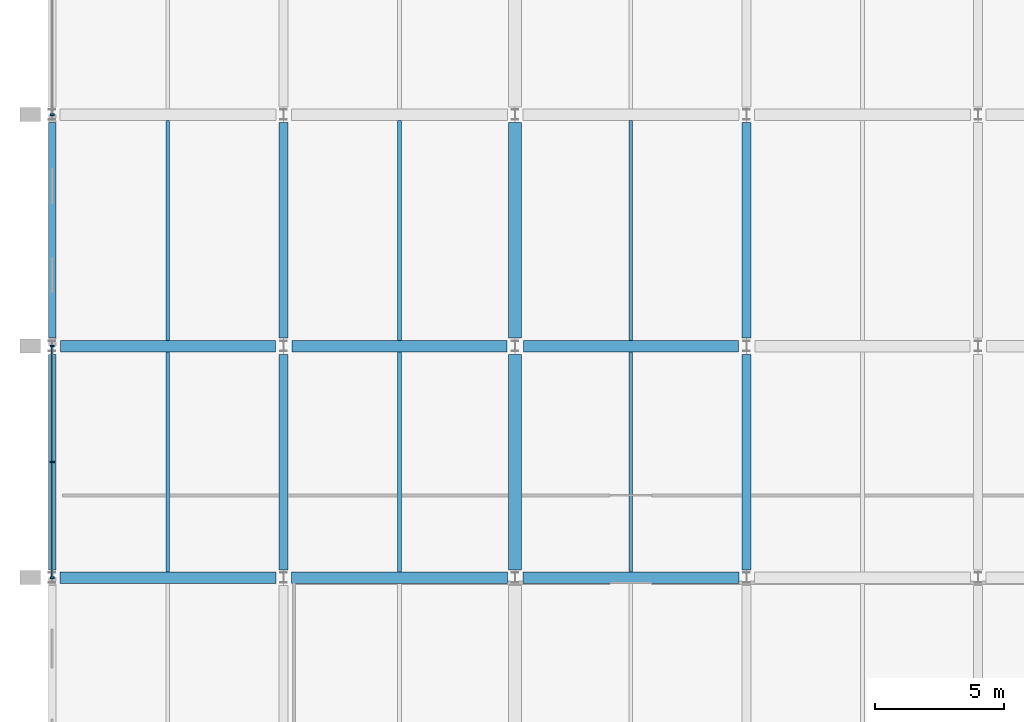
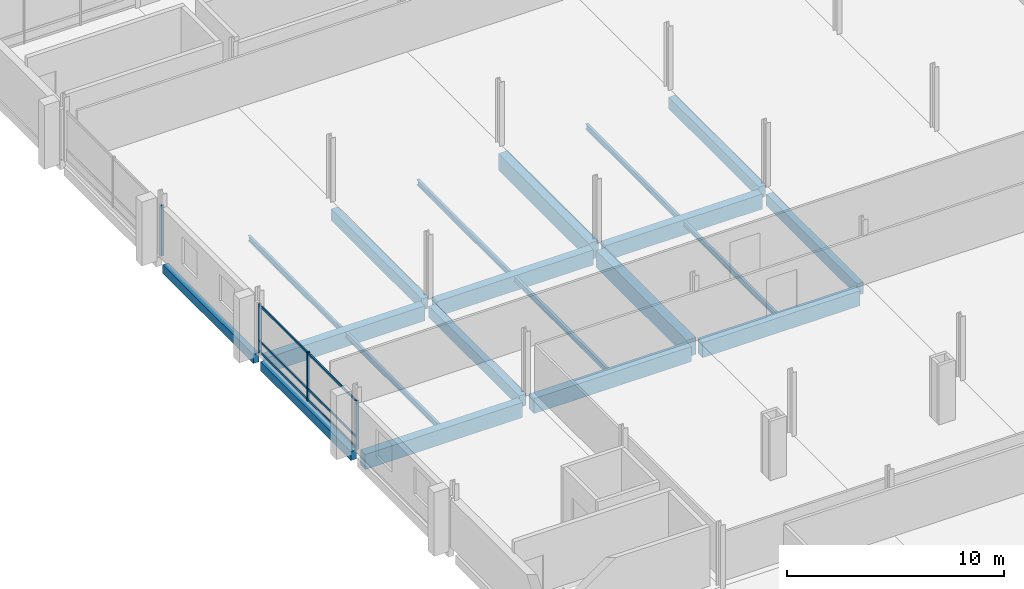
# One storey, part 44 of 132: 20 beams, 10 members, 2 elements without a shape of their own.
"""IFC4 building model written with IfcOpenShell, lengths in metres."""

from ifc_helpers import new_model, si_unit, direction, frame, origin, origin_2d, place, context, subcontext, project, spatial, rectangle, i_section, extrude, material, material_profile, profile_set, type_object, element, aggregate, save


model = new_model("IFC4")

# Units and contexts
model_context = context("Model", 3, precision=1e-05, world=origin(), true_north=direction((0.0, 1.0)))
body_context = subcontext(model_context, "Body", "Model", "MODEL_VIEW")
ifc_project = project(units=[si_unit("LENGTHUNIT", "METRE"), si_unit("AREAUNIT", "SQUARE_METRE"), si_unit("VOLUMEUNIT", "CUBIC_METRE"), si_unit("PLANEANGLEUNIT", "RADIAN"), si_unit("MASSUNIT", "GRAM", prefix="KILO")], contexts=[model_context])

# Site, building, storey
site_placement = place(None, origin())
site = spatial("IfcSite", under=ifc_project, at=site_placement, CompositionType="ELEMENT")
building_placement = place(site_placement, origin())
building = spatial("IfcBuilding", under=site, at=building_placement, Name="Tharagai Park Tramway Depot", CompositionType="ELEMENT")
storey_placement = place(building_placement, frame((0.0, 0.0, 4.800048828125)))
storey = spatial("IfcBuildingStorey", under=building, at=storey_placement, Name="L01", CompositionType="ELEMENT", Elevation=4.800048828125)

# Beams
ifc_material_1 = material(Name="Concrete M35", Category="concrete")
ifc_material_profile_1 = material_profile(ifc_material_1, rectangle(XDim=0.449951171875, YDim=0.85009765625, at=origin_2d()), Name="RC 450x850")
ifc_profile_set_1 = profile_set([ifc_material_profile_1], Name="Concrete M35")
beam_type_1 = type_object("IfcBeamType", Name="BM-03", PredefinedType="BEAM", material=ifc_profile_set_1)
for number, where, z_axis, x_axis, name in (
    (1, (0.300048828125, 63.0, -0.705078125), (1.0, 0.0, 0.0), (0.0, 1.0, 0.0), "L01 Grid Beam BM-03"),
    (2, (9.300048828125, 63.0, -0.705078125), (1.0, 0.0, 0.0), (0.0, 1.0, 0.0), "L01 Grid Beam BM-03"),
    (3, (18.300048828125, 63.0, -0.705078125), (1.0, 0.0, 0.0), (0.0, 1.0, 0.0), "L01 Grid Beam BM-03"),
):
    element("IfcBeam", number, at=place(storey_placement, frame(where, z_axis=z_axis, x_axis=x_axis)), inside=storey, type_object=beam_type_1, Name=name, PredefinedType="BEAM", context=body_context, shape_type="SweptSolid", body=[
        extrude(rectangle(XDim=0.449951171875, YDim=0.85009765625, at=origin_2d()), origin(), (0.0, 0.0, 1.0), 8.39990234375),
    ])
for number, where, z_axis, x_axis, name in (
    (4, (0.324951171875, 72.0, -0.705078125), (1.0, 0.0, 0.0), (0.0, 1.0, 0.0), "L01 Grid Beam BM-03"),
    (5, (9.324951171875, 72.0, -0.705078125), (1.0, 0.0, 0.0), (0.0, 1.0, 0.0), "L01 Grid Beam BM-03"),
    (6, (18.324951171875, 72.0, -0.705078125), (1.0, 0.0, 0.0), (0.0, 1.0, 0.0), "L01 Grid Beam BM-03"),
):
    element("IfcBeam", number, at=place(storey_placement, frame(where, z_axis=z_axis, x_axis=x_axis)), inside=storey, type_object=beam_type_1, Name=name, PredefinedType="BEAM", context=body_context, shape_type="SweptSolid", body=[
        extrude(rectangle(XDim=0.449951171875, YDim=0.85009765625, at=origin_2d()), origin(), (0.0, 0.0, 1.0), 8.35009765625),
    ])
ifc_material_2 = material(Name="Concrete M40", Category="concrete")
ifc_material_profile_2 = material_profile(ifc_material_2, rectangle(XDim=0.5, YDim=0.949951171875, at=origin_2d()), Name="RC 500x950")
ifc_profile_set_2 = profile_set([ifc_material_profile_2], Name="Concrete M40")
beam_type_2 = type_object("IfcBeamType", Name="BM-07", PredefinedType="BEAM", material=ifc_profile_set_2)
for number, where, z_axis, x_axis, name in (
    (7, (18.0, 63.300048828125, -0.755126953125), (0.0, 1.0, 0.0), (-1.0, 0.0, 0.0), "L01 Grid Beam BM-07"),
    (8, (18.0, 72.324951171875, -0.755126953125), (0.0, 1.0, 0.0), (-1.0, 0.0, 0.0), "L01 Grid Beam BM-07"),
):
    element("IfcBeam", number, at=place(storey_placement, frame(where, z_axis=z_axis, x_axis=x_axis)), inside=storey, type_object=beam_type_2, Name=name, PredefinedType="BEAM", context=body_context, shape_type="SweptSolid", body=[
        extrude(rectangle(XDim=0.5, YDim=0.949951171875, at=origin_2d()), origin(), (0.0, 0.0, 1.0), 8.375),
    ])
ifc_material_profile_3 = material_profile(ifc_material_1, rectangle(XDim=0.35009765625, YDim=0.64990234375, at=origin_2d()), Name="RC 350x650")
ifc_profile_set_3 = profile_set([ifc_material_profile_3], Name="Concrete M35")
beam_type_3 = type_object("IfcBeamType", Name="BM-13", PredefinedType="BEAM", material=ifc_profile_set_3)
for number, where, z_axis, x_axis, name in (
    (9, (9.0, 63.300048828125, -0.60498046875), (0.0, 1.0, 0.0), (-1.0, 0.0, 0.0), "L01 Grid Beam BM-13"),
    (10, (9.0, 72.324951171875, -0.60498046875), (0.0, 1.0, 0.0), (-1.0, 0.0, 0.0), "L01 Grid Beam BM-13"),
    (11, (27.0, 63.300048828125, -0.60498046875), (0.0, 1.0, 0.0), (-1.0, 0.0, 0.0), "L01 Grid Beam BM-13"),
    (12, (27.0, 72.324951171875, -0.60498046875), (0.0, 1.0, 0.0), (-1.0, 0.0, 0.0), "L01 Grid Beam BM-13"),
):
    element("IfcBeam", number, at=place(storey_placement, frame(where, z_axis=z_axis, x_axis=x_axis)), inside=storey, type_object=beam_type_3, Name=name, PredefinedType="BEAM", context=body_context, shape_type="SweptSolid", body=[
        extrude(rectangle(XDim=0.35009765625, YDim=0.64990234375, at=origin_2d()), origin(), (0.0, 0.0, 1.0), 8.375),
    ])

# Curtain wall, members
ifc_material_3 = material(Name="Anodised aluminium", Category="aluminium")
curtain_wall_type = type_object("IfcCurtainWallType", Name="CW-07", PredefinedType="NOTDEFINED", material=ifc_material_3)
curtain_wall_1_placement = place(storey_placement, origin())
curtain_wall_1 = element("IfcCurtainWall", 13, at=curtain_wall_1_placement, inside=storey, type_object=curtain_wall_type, Name="L01 V2 Side Mullioned Curtain Wall CW-07", PredefinedType="NOTDEFINED")
ifc_material_profile_4 = material_profile(ifc_material_3, rectangle(XDim=0.06494140625, YDim=0.1201171875, at=origin_2d()), Name="ALU 65x120")
ifc_profile_set_4 = profile_set([ifc_material_profile_4], Name="Anodised aluminium")
member_type_1 = type_object("IfcMemberType", Name="CM-01", PredefinedType="USERDEFINED", material=ifc_profile_set_4)
member_1_placement = place(storey_placement, frame((0.0, 63.010986328125, 0.06005859375), z_axis=(0.0, 1.0, 0.0), x_axis=(-1.0, 0.0, 0.0)))
member_1 = element("IfcMember", 14, at=member_1_placement, type_object=member_type_1, Name="L01 V2 Side Mullioned Curtain Wall Transom 1.1", ObjectType="TRANSOM", PredefinedType="USERDEFINED", context=body_context, shape_type="SweptSolid", body=[
    extrude(rectangle(XDim=0.06494140625, YDim=0.1201171875, at=origin_2d()), origin(), (0.0, 0.0, 1.0), 4.47412109375),
])
member_2_placement = place(storey_placement, frame((0.0, 63.010986328125, 0.64990234375), z_axis=(0.0, 1.0, 0.0), x_axis=(-1.0, 0.0, 0.0)))
member_2 = element("IfcMember", 15, at=member_2_placement, type_object=member_type_1, Name="L01 V2 Side Mullioned Curtain Wall Transom 1.2", ObjectType="TRANSOM", PredefinedType="USERDEFINED", context=body_context, shape_type="SweptSolid", body=[
    extrude(rectangle(XDim=0.06494140625, YDim=0.1201171875, at=origin_2d()), origin(), (0.0, 0.0, 1.0), 4.47412109375),
])
member_3_placement = place(storey_placement, frame((0.0, 63.010986328125, 2.669921875), z_axis=(0.0, 1.0, 0.0), x_axis=(-1.0, 0.0, 0.0)))
member_3 = element("IfcMember", 16, at=member_3_placement, type_object=member_type_1, Name="L01 V2 Side Mullioned Curtain Wall Transom 1.3", ObjectType="TRANSOM", PredefinedType="USERDEFINED", context=body_context, shape_type="SweptSolid", body=[
    extrude(rectangle(XDim=0.06494140625, YDim=0.1201171875, at=origin_2d()), origin(), (0.0, 0.0, 1.0), 4.47412109375),
])
member_4_placement = place(storey_placement, frame((0.0, 67.514892578125, 0.06005859375), z_axis=(0.0, 1.0, 0.0), x_axis=(-1.0, 0.0, 0.0)))
member_4 = element("IfcMember", 17, at=member_4_placement, type_object=member_type_1, Name="L01 V2 Side Mullioned Curtain Wall Transom 2.1", ObjectType="TRANSOM", PredefinedType="USERDEFINED", context=body_context, shape_type="SweptSolid", body=[
    extrude(rectangle(XDim=0.06494140625, YDim=0.1201171875, at=origin_2d()), origin(), (0.0, 0.0, 1.0), 4.47412109375),
])
member_5_placement = place(storey_placement, frame((0.0, 67.514892578125, 0.64990234375), z_axis=(0.0, 1.0, 0.0), x_axis=(-1.0, 0.0, 0.0)))
member_5 = element("IfcMember", 18, at=member_5_placement, type_object=member_type_1, Name="L01 V2 Side Mullioned Curtain Wall Transom 2.2", ObjectType="TRANSOM", PredefinedType="USERDEFINED", context=body_context, shape_type="SweptSolid", body=[
    extrude(rectangle(XDim=0.06494140625, YDim=0.1201171875, at=origin_2d()), origin(), (0.0, 0.0, 1.0), 4.47412109375),
])
member_6_placement = place(storey_placement, frame((0.0, 67.514892578125, 2.669921875), z_axis=(0.0, 1.0, 0.0), x_axis=(-1.0, 0.0, 0.0)))
member_6 = element("IfcMember", 19, at=member_6_placement, type_object=member_type_1, Name="L01 V2 Side Mullioned Curtain Wall Transom 2.3", ObjectType="TRANSOM", PredefinedType="USERDEFINED", context=body_context, shape_type="SweptSolid", body=[
    extrude(rectangle(XDim=0.06494140625, YDim=0.1201171875, at=origin_2d()), origin(), (0.0, 0.0, 1.0), 4.47412109375),
])
ifc_material_profile_5 = material_profile(ifc_material_3, rectangle(XDim=0.06494140625, YDim=0.14990234375, at=origin_2d()), Name="ALU 65x150")
ifc_profile_set_5 = profile_set([ifc_material_profile_5], Name="Anodised aluminium")
member_type_2 = type_object("IfcMemberType", Name="CM-03", PredefinedType="MULLION", material=ifc_profile_set_5)
member_7_placement = place(storey_placement, frame((0.0, 62.99609375, -0.005126953125), z_axis=(0.0, 0.0, 1.0), x_axis=(0.0, 1.0, 0.0)))
member_7 = element("IfcMember", 20, at=member_7_placement, type_object=member_type_2, Name="L01 V2 Side Mullioned Curtain Wall Mullion 1", PredefinedType="MULLION", context=body_context, shape_type="SweptSolid", body=[
    extrude(rectangle(XDim=0.06494140625, YDim=0.14990234375, at=origin_2d()), origin(), (0.0, 0.0, 1.0), 2.760009765625),
])
member_8_placement = place(storey_placement, frame((0.0, 67.5, -0.005126953125), z_axis=(0.0, 0.0, 1.0), x_axis=(0.0, 1.0, 0.0)))
member_8 = element("IfcMember", 21, at=member_8_placement, type_object=member_type_2, Name="L01 V2 Side Mullioned Curtain Wall Mullion 2", PredefinedType="MULLION", context=body_context, shape_type="SweptSolid", body=[
    extrude(rectangle(XDim=0.06494140625, YDim=0.14990234375, at=origin_2d()), origin(), (0.0, 0.0, 1.0), 2.760009765625),
])
member_9_placement = place(storey_placement, frame((0.0, 72.00390625, -0.005126953125), z_axis=(0.0, 0.0, 1.0), x_axis=(0.0, 1.0, 0.0)))
member_9 = element("IfcMember", 22, at=member_9_placement, type_object=member_type_2, Name="L01 V2 Side Mullioned Curtain Wall Mullion 3", PredefinedType="MULLION", context=body_context, shape_type="SweptSolid", body=[
    extrude(rectangle(XDim=0.06494140625, YDim=0.14990234375, at=origin_2d()), origin(), (0.0, 0.0, 1.0), 2.760009765625),
])
aggregate(curtain_wall_1, [member_7, member_8, member_9, member_1, member_2, member_3, member_4, member_5, member_6])

# Curtain wall, member
curtain_wall_2_placement = place(storey_placement, origin())
curtain_wall_2 = element("IfcCurtainWall", 23, at=curtain_wall_2_placement, inside=storey, type_object=curtain_wall_type, Name="L01 V2 Side Mullioned Curtain Wall CW-07", PredefinedType="NOTDEFINED")
member_10_placement = place(storey_placement, frame((0.0, 80.99609375, -0.005126953125), z_axis=(0.0, 0.0, 1.0), x_axis=(0.0, 1.0, 0.0)))
member_10 = element("IfcMember", 24, at=member_10_placement, type_object=member_type_2, Name="L01 V2 Side Mullioned Curtain Wall Mullion 1", PredefinedType="MULLION", context=body_context, shape_type="SweptSolid", body=[
    extrude(rectangle(XDim=0.06494140625, YDim=0.14990234375, at=origin_2d()), origin(), (0.0, 0.0, 1.0), 2.860107421875),
])
aggregate(curtain_wall_2, [member_10])

# Beams
ifc_material_4 = material(Name="Steel E350", Category="steel")
ifc_material_profile_6 = material_profile(ifc_material_4, i_section(OverallWidth=0.139892578125, OverallDepth=0.300048828125, WebThickness=0.0078125, FlangeThickness=0.01318359375, FilletRadius=0.013916015625, at=origin_2d()), Name="ISMB 300")
ifc_profile_set_6 = profile_set([ifc_material_profile_6], Name="Steel E350")
beam_type_4 = type_object("IfcBeamType", Name="JT-03", PredefinedType="JOIST", material=ifc_profile_set_6)
for number, where, z_axis, x_axis, name in (
    (25, (4.5, 63.22509765625, -0.429931640625), (0.0, 1.0, 0.0), (-1.0, 0.0, 0.0), "L01 Secondary Joist JT-03"),
    (26, (4.5, 72.22509765625, -0.429931640625), (0.0, 1.0, 0.0), (-1.0, 0.0, 0.0), "L01 Secondary Joist JT-03"),
    (27, (22.5, 63.22509765625, -0.429931640625), (0.0, 1.0, 0.0), (-1.0, 0.0, 0.0), "L01 Secondary Joist JT-03"),
    (28, (22.5, 72.22509765625, -0.429931640625), (0.0, 1.0, 0.0), (-1.0, 0.0, 0.0), "L01 Secondary Joist JT-03"),
):
    element("IfcBeam", number, at=place(storey_placement, frame(where, z_axis=z_axis, x_axis=x_axis)), inside=storey, type_object=beam_type_4, Name=name, PredefinedType="JOIST", context=body_context, shape_type="SweptSolid", body=[
        extrude(i_section(OverallWidth=0.139892578125, OverallDepth=0.300048828125, WebThickness=0.0078125, FlangeThickness=0.01318359375, FilletRadius=0.013916015625, at=origin_2d()), origin(), (0.0, 0.0, 1.0), 8.5498046875),
    ])
ifc_material_profile_7 = material_profile(ifc_material_4, i_section(OverallWidth=0.14990234375, OverallDepth=0.300048828125, WebThickness=0.006591796875, FlangeThickness=0.009521484375, FilletRadius=0.011962890625, at=origin_2d()), Name="ISLB 300")
ifc_profile_set_7 = profile_set([ifc_material_profile_7], Name="Steel E350")
beam_type_5 = type_object("IfcBeamType", Name="JT-07", PredefinedType="JOIST", material=ifc_profile_set_7)
for number, where, z_axis, x_axis, name in (
    (29, (13.5, 63.22509765625, -0.429931640625), (0.0, 1.0, 0.0), (-1.0, 0.0, 0.0), "L01 Secondary Joist JT-07"),
    (30, (13.5, 72.22509765625, -0.429931640625), (0.0, 1.0, 0.0), (-1.0, 0.0, 0.0), "L01 Secondary Joist JT-07"),
):
    element("IfcBeam", number, at=place(storey_placement, frame(where, z_axis=z_axis, x_axis=x_axis)), inside=storey, type_object=beam_type_5, Name=name, PredefinedType="JOIST", context=body_context, shape_type="SweptSolid", body=[
        extrude(i_section(OverallWidth=0.14990234375, OverallDepth=0.300048828125, WebThickness=0.006591796875, FlangeThickness=0.009521484375, FilletRadius=0.011962890625, at=origin_2d()), origin(), (0.0, 0.0, 1.0), 8.5498046875),
    ])
ifc_material_profile_8 = material_profile(ifc_material_1, rectangle(XDim=0.300048828125, YDim=0.5, at=origin_2d()), Name="RC 300x500")
ifc_profile_set_8 = profile_set([ifc_material_profile_8], Name="Concrete M35")
beam_type_6 = type_object("IfcBeamType", Name="SP-03", PredefinedType="SPANDREL", material=ifc_profile_set_8)
for number, where, z_axis, x_axis, name in (
    (31, (0.0, 63.300048828125, -0.530029296875), (0.0, 1.0, 0.0), (-1.0, 0.0, 0.0), "L01 Grid Beam SP-03"),
    (32, (0.0, 72.324951171875, -0.530029296875), (0.0, 1.0, 0.0), (-1.0, 0.0, 0.0), "L01 Grid Beam SP-03"),
):
    element("IfcBeam", number, at=place(storey_placement, frame(where, z_axis=z_axis, x_axis=x_axis)), inside=storey, type_object=beam_type_6, Name=name, PredefinedType="SPANDREL", context=body_context, shape_type="SweptSolid", body=[
        extrude(rectangle(XDim=0.300048828125, YDim=0.5, at=origin_2d()), origin(), (0.0, 0.0, 1.0), 8.375),
    ])

save(model, "model.ifc")
